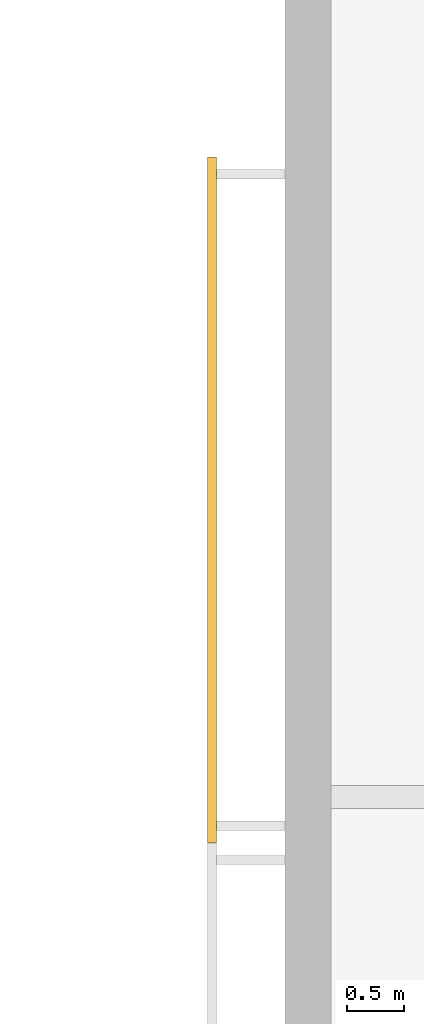
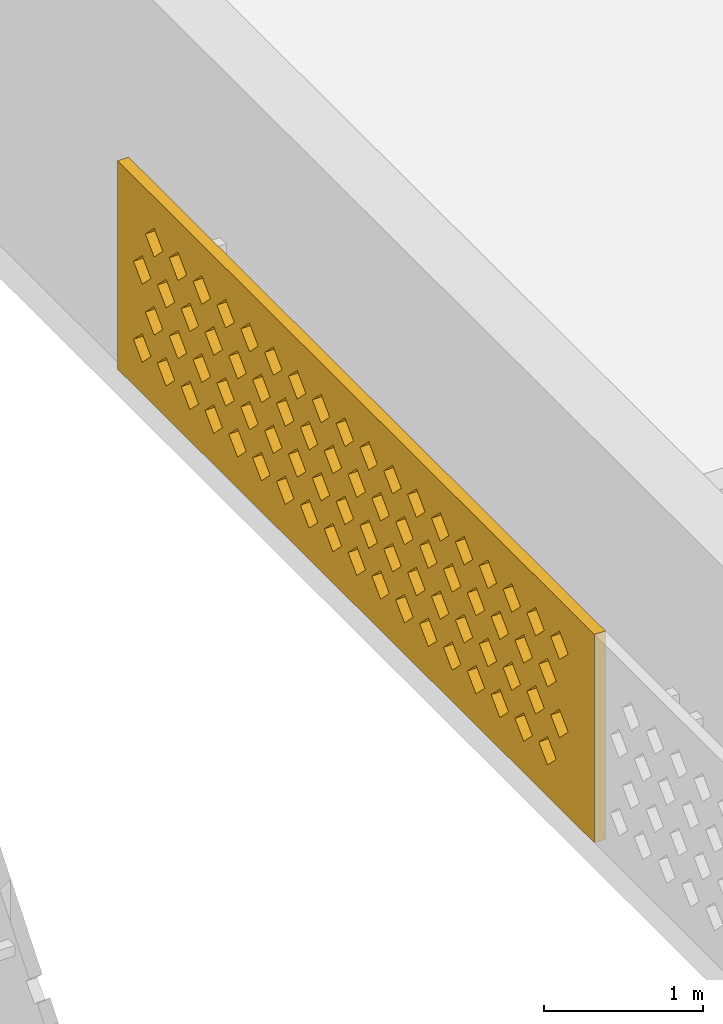
# One storey, part 14 of 16: 1 covering.
"""IFC4 building model written with IfcOpenShell, lengths in metres."""

from ifc_helpers import new_model, si_unit, direction, frame, origin, place, context, subcontext, project, spatial, polyline, outline, extrude, source, transform, mapped, material, material_profile, profile_set, type_object, element, save


model = new_model("IFC4")

# Units and contexts
model_context = context("Model", 3, precision=1e-05, world=origin(), true_north=direction((0.0, 1.0)))
body_context = subcontext(model_context, "Body", "Model", "MODEL_VIEW")
ifc_project = project(units=[si_unit("LENGTHUNIT", "METRE"), si_unit("AREAUNIT", "SQUARE_METRE"), si_unit("VOLUMEUNIT", "CUBIC_METRE"), si_unit("PLANEANGLEUNIT", "RADIAN"), si_unit("MASSUNIT", "GRAM", prefix="KILO")], contexts=[model_context])

# Site, building, storey
site_placement = place(None, origin())
site = spatial("IfcSite", under=ifc_project, at=site_placement, CompositionType="ELEMENT")
building_placement = place(site_placement, origin())
building = spatial("IfcBuilding", under=site, at=building_placement, Name="Poui Terraces", CompositionType="ELEMENT")
storey_placement = place(building_placement, frame((0.0, 0.0, 282.300048828125)))
storey = spatial("IfcBuildingStorey", under=building, at=storey_placement, Name="L78 CROWN", CompositionType="ELEMENT", Elevation=282.300048828125)

# Covering
ifc_material = material(Name="Terracotta screen", Category="masonry")
ifc_material_profile = material_profile(ifc_material, outline(polyline([(-3.0, -0.800048828125), (3.0, -0.800048828125), (3.0, 0.800048828125), (-3.0, 0.800048828125), (-3.0, -0.800048828125)]), holes=[polyline([(-2.800048828125, -0.449951171875), (-2.68994140625, -0.56005859375), (-2.580078125, -0.449951171875), (-2.68994140625, -0.340087890625), (-2.800048828125, -0.449951171875)]), polyline([(-2.5, -0.449951171875), (-2.389892578125, -0.56005859375), (-2.280029296875, -0.449951171875), (-2.389892578125, -0.340087890625), (-2.5, -0.449951171875)]), polyline([(-2.199951171875, -0.449951171875), (-2.090087890625, -0.56005859375), (-1.97998046875, -0.449951171875), (-2.090087890625, -0.340087890625), (-2.199951171875, -0.449951171875)]), polyline([(-1.89990234375, -0.449951171875), (-1.7900390625, -0.56005859375), (-1.679931640625, -0.449951171875), (-1.7900390625, -0.340087890625), (-1.89990234375, -0.449951171875)]), polyline([(-1.60009765625, -0.449951171875), (-1.489990234375, -0.56005859375), (-1.3798828125, -0.449951171875), (-1.489990234375, -0.340087890625), (-1.60009765625, -0.449951171875)]), polyline([(-1.300048828125, -0.449951171875), (-1.18994140625, -0.56005859375), (-1.080078125, -0.449951171875), (-1.18994140625, -0.340087890625), (-1.300048828125, -0.449951171875)]), polyline([(-1.0, -0.449951171875), (-0.889892578125, -0.56005859375), (-0.780029296875, -0.449951171875), (-0.889892578125, -0.340087890625), (-1.0, -0.449951171875)]), polyline([(-0.699951171875, -0.449951171875), (-0.590087890625, -0.56005859375), (-0.47998046875, -0.449951171875), (-0.590087890625, -0.340087890625), (-0.699951171875, -0.449951171875)]), polyline([(-0.39990234375, -0.449951171875), (-0.2900390625, -0.56005859375), (-0.179931640625, -0.449951171875), (-0.2900390625, -0.340087890625), (-0.39990234375, -0.449951171875)]), polyline([(-0.10009765625, -0.449951171875), (0.010009765625, -0.56005859375), (0.1201171875, -0.449951171875), (0.010009765625, -0.340087890625), (-0.10009765625, -0.449951171875)]), polyline([(0.199951171875, -0.449951171875), (0.31005859375, -0.56005859375), (0.419921875, -0.449951171875), (0.31005859375, -0.340087890625), (0.199951171875, -0.449951171875)]), polyline([(0.5, -0.449951171875), (0.610107421875, -0.56005859375), (0.719970703125, -0.449951171875), (0.610107421875, -0.340087890625), (0.5, -0.449951171875)]), polyline([(0.800048828125, -0.449951171875), (0.909912109375, -0.56005859375), (1.02001953125, -0.449951171875), (0.909912109375, -0.340087890625), (0.800048828125, -0.449951171875)]), polyline([(1.10009765625, -0.449951171875), (1.2099609375, -0.56005859375), (1.320068359375, -0.449951171875), (1.2099609375, -0.340087890625), (1.10009765625, -0.449951171875)]), polyline([(1.39990234375, -0.449951171875), (1.510009765625, -0.56005859375), (1.6201171875, -0.449951171875), (1.510009765625, -0.340087890625), (1.39990234375, -0.449951171875)]), polyline([(1.699951171875, -0.449951171875), (1.81005859375, -0.56005859375), (1.919921875, -0.449951171875), (1.81005859375, -0.340087890625), (1.699951171875, -0.449951171875)]), polyline([(2.0, -0.449951171875), (2.110107421875, -0.56005859375), (2.219970703125, -0.449951171875), (2.110107421875, -0.340087890625), (2.0, -0.449951171875)]), polyline([(2.300048828125, -0.449951171875), (2.409912109375, -0.56005859375), (2.52001953125, -0.449951171875), (2.409912109375, -0.340087890625), (2.300048828125, -0.449951171875)]), polyline([(-2.64990234375, -0.14990234375), (-2.5400390625, -0.260009765625), (-2.429931640625, -0.14990234375), (-2.5400390625, -0.0400390625), (-2.64990234375, -0.14990234375)]), polyline([(-2.35009765625, -0.14990234375), (-2.239990234375, -0.260009765625), (-2.1298828125, -0.14990234375), (-2.239990234375, -0.0400390625), (-2.35009765625, -0.14990234375)]), polyline([(-2.050048828125, -0.14990234375), (-1.93994140625, -0.260009765625), (-1.830078125, -0.14990234375), (-1.93994140625, -0.0400390625), (-2.050048828125, -0.14990234375)]), polyline([(-1.75, -0.14990234375), (-1.639892578125, -0.260009765625), (-1.530029296875, -0.14990234375), (-1.639892578125, -0.0400390625), (-1.75, -0.14990234375)]), polyline([(-1.449951171875, -0.14990234375), (-1.340087890625, -0.260009765625), (-1.22998046875, -0.14990234375), (-1.340087890625, -0.0400390625), (-1.449951171875, -0.14990234375)]), polyline([(-1.14990234375, -0.14990234375), (-1.0400390625, -0.260009765625), (-0.929931640625, -0.14990234375), (-1.0400390625, -0.0400390625), (-1.14990234375, -0.14990234375)]), polyline([(-0.85009765625, -0.14990234375), (-0.739990234375, -0.260009765625), (-0.6298828125, -0.14990234375), (-0.739990234375, -0.0400390625), (-0.85009765625, -0.14990234375)]), polyline([(-0.550048828125, -0.14990234375), (-0.43994140625, -0.260009765625), (-0.330078125, -0.14990234375), (-0.43994140625, -0.0400390625), (-0.550048828125, -0.14990234375)]), polyline([(-0.25, -0.14990234375), (-0.139892578125, -0.260009765625), (-0.030029296875, -0.14990234375), (-0.139892578125, -0.0400390625), (-0.25, -0.14990234375)]), polyline([(0.050048828125, -0.14990234375), (0.159912109375, -0.260009765625), (0.27001953125, -0.14990234375), (0.159912109375, -0.0400390625), (0.050048828125, -0.14990234375)]), polyline([(0.35009765625, -0.14990234375), (0.4599609375, -0.260009765625), (0.570068359375, -0.14990234375), (0.4599609375, -0.0400390625), (0.35009765625, -0.14990234375)]), polyline([(0.64990234375, -0.14990234375), (0.760009765625, -0.260009765625), (0.8701171875, -0.14990234375), (0.760009765625, -0.0400390625), (0.64990234375, -0.14990234375)]), polyline([(0.949951171875, -0.14990234375), (1.06005859375, -0.260009765625), (1.169921875, -0.14990234375), (1.06005859375, -0.0400390625), (0.949951171875, -0.14990234375)]), polyline([(1.25, -0.14990234375), (1.360107421875, -0.260009765625), (1.469970703125, -0.14990234375), (1.360107421875, -0.0400390625), (1.25, -0.14990234375)]), polyline([(1.550048828125, -0.14990234375), (1.659912109375, -0.260009765625), (1.77001953125, -0.14990234375), (1.659912109375, -0.0400390625), (1.550048828125, -0.14990234375)]), polyline([(1.85009765625, -0.14990234375), (1.9599609375, -0.260009765625), (2.070068359375, -0.14990234375), (1.9599609375, -0.0400390625), (1.85009765625, -0.14990234375)]), polyline([(2.14990234375, -0.14990234375), (2.260009765625, -0.260009765625), (2.3701171875, -0.14990234375), (2.260009765625, -0.0400390625), (2.14990234375, -0.14990234375)]), polyline([(2.449951171875, -0.14990234375), (2.56005859375, -0.260009765625), (2.669921875, -0.14990234375), (2.56005859375, -0.0400390625), (2.449951171875, -0.14990234375)]), polyline([(-2.800048828125, 0.14990234375), (-2.68994140625, 0.0400390625), (-2.580078125, 0.14990234375), (-2.68994140625, 0.260009765625), (-2.800048828125, 0.14990234375)]), polyline([(-2.5, 0.14990234375), (-2.389892578125, 0.0400390625), (-2.280029296875, 0.14990234375), (-2.389892578125, 0.260009765625), (-2.5, 0.14990234375)]), polyline([(-2.199951171875, 0.14990234375), (-2.090087890625, 0.0400390625), (-1.97998046875, 0.14990234375), (-2.090087890625, 0.260009765625), (-2.199951171875, 0.14990234375)]), polyline([(-1.89990234375, 0.14990234375), (-1.7900390625, 0.0400390625), (-1.679931640625, 0.14990234375), (-1.7900390625, 0.260009765625), (-1.89990234375, 0.14990234375)]), polyline([(-1.60009765625, 0.14990234375), (-1.489990234375, 0.0400390625), (-1.3798828125, 0.14990234375), (-1.489990234375, 0.260009765625), (-1.60009765625, 0.14990234375)]), polyline([(-1.300048828125, 0.14990234375), (-1.18994140625, 0.0400390625), (-1.080078125, 0.14990234375), (-1.18994140625, 0.260009765625), (-1.300048828125, 0.14990234375)]), polyline([(-1.0, 0.14990234375), (-0.889892578125, 0.0400390625), (-0.780029296875, 0.14990234375), (-0.889892578125, 0.260009765625), (-1.0, 0.14990234375)]), polyline([(-0.699951171875, 0.14990234375), (-0.590087890625, 0.0400390625), (-0.47998046875, 0.14990234375), (-0.590087890625, 0.260009765625), (-0.699951171875, 0.14990234375)]), polyline([(-0.39990234375, 0.14990234375), (-0.2900390625, 0.0400390625), (-0.179931640625, 0.14990234375), (-0.2900390625, 0.260009765625), (-0.39990234375, 0.14990234375)]), polyline([(-0.10009765625, 0.14990234375), (0.010009765625, 0.0400390625), (0.1201171875, 0.14990234375), (0.010009765625, 0.260009765625), (-0.10009765625, 0.14990234375)]), polyline([(0.199951171875, 0.14990234375), (0.31005859375, 0.0400390625), (0.419921875, 0.14990234375), (0.31005859375, 0.260009765625), (0.199951171875, 0.14990234375)]), polyline([(0.5, 0.14990234375), (0.610107421875, 0.0400390625), (0.719970703125, 0.14990234375), (0.610107421875, 0.260009765625), (0.5, 0.14990234375)]), polyline([(0.800048828125, 0.14990234375), (0.909912109375, 0.0400390625), (1.02001953125, 0.14990234375), (0.909912109375, 0.260009765625), (0.800048828125, 0.14990234375)]), polyline([(1.10009765625, 0.14990234375), (1.2099609375, 0.0400390625), (1.320068359375, 0.14990234375), (1.2099609375, 0.260009765625), (1.10009765625, 0.14990234375)]), polyline([(1.39990234375, 0.14990234375), (1.510009765625, 0.0400390625), (1.6201171875, 0.14990234375), (1.510009765625, 0.260009765625), (1.39990234375, 0.14990234375)]), polyline([(1.699951171875, 0.14990234375), (1.81005859375, 0.0400390625), (1.919921875, 0.14990234375), (1.81005859375, 0.260009765625), (1.699951171875, 0.14990234375)]), polyline([(2.0, 0.14990234375), (2.110107421875, 0.0400390625), (2.219970703125, 0.14990234375), (2.110107421875, 0.260009765625), (2.0, 0.14990234375)]), polyline([(2.300048828125, 0.14990234375), (2.409912109375, 0.0400390625), (2.52001953125, 0.14990234375), (2.409912109375, 0.260009765625), (2.300048828125, 0.14990234375)]), polyline([(-2.64990234375, 0.449951171875), (-2.5400390625, 0.340087890625), (-2.429931640625, 0.449951171875), (-2.5400390625, 0.56005859375), (-2.64990234375, 0.449951171875)]), polyline([(-2.35009765625, 0.449951171875), (-2.239990234375, 0.340087890625), (-2.1298828125, 0.449951171875), (-2.239990234375, 0.56005859375), (-2.35009765625, 0.449951171875)]), polyline([(-2.050048828125, 0.449951171875), (-1.93994140625, 0.340087890625), (-1.830078125, 0.449951171875), (-1.93994140625, 0.56005859375), (-2.050048828125, 0.449951171875)]), polyline([(-1.75, 0.449951171875), (-1.639892578125, 0.340087890625), (-1.530029296875, 0.449951171875), (-1.639892578125, 0.56005859375), (-1.75, 0.449951171875)]), polyline([(-1.449951171875, 0.449951171875), (-1.340087890625, 0.340087890625), (-1.22998046875, 0.449951171875), (-1.340087890625, 0.56005859375), (-1.449951171875, 0.449951171875)]), polyline([(-1.14990234375, 0.449951171875), (-1.0400390625, 0.340087890625), (-0.929931640625, 0.449951171875), (-1.0400390625, 0.56005859375), (-1.14990234375, 0.449951171875)]), polyline([(-0.85009765625, 0.449951171875), (-0.739990234375, 0.340087890625), (-0.6298828125, 0.449951171875), (-0.739990234375, 0.56005859375), (-0.85009765625, 0.449951171875)]), polyline([(-0.550048828125, 0.449951171875), (-0.43994140625, 0.340087890625), (-0.330078125, 0.449951171875), (-0.43994140625, 0.56005859375), (-0.550048828125, 0.449951171875)]), polyline([(-0.25, 0.449951171875), (-0.139892578125, 0.340087890625), (-0.030029296875, 0.449951171875), (-0.139892578125, 0.56005859375), (-0.25, 0.449951171875)]), polyline([(0.050048828125, 0.449951171875), (0.159912109375, 0.340087890625), (0.27001953125, 0.449951171875), (0.159912109375, 0.56005859375), (0.050048828125, 0.449951171875)]), polyline([(0.35009765625, 0.449951171875), (0.4599609375, 0.340087890625), (0.570068359375, 0.449951171875), (0.4599609375, 0.56005859375), (0.35009765625, 0.449951171875)]), polyline([(0.64990234375, 0.449951171875), (0.760009765625, 0.340087890625), (0.8701171875, 0.449951171875), (0.760009765625, 0.56005859375), (0.64990234375, 0.449951171875)]), polyline([(0.949951171875, 0.449951171875), (1.06005859375, 0.340087890625), (1.169921875, 0.449951171875), (1.06005859375, 0.56005859375), (0.949951171875, 0.449951171875)]), polyline([(1.25, 0.449951171875), (1.360107421875, 0.340087890625), (1.469970703125, 0.449951171875), (1.360107421875, 0.56005859375), (1.25, 0.449951171875)]), polyline([(1.550048828125, 0.449951171875), (1.659912109375, 0.340087890625), (1.77001953125, 0.449951171875), (1.659912109375, 0.56005859375), (1.550048828125, 0.449951171875)]), polyline([(1.85009765625, 0.449951171875), (1.9599609375, 0.340087890625), (2.070068359375, 0.449951171875), (1.9599609375, 0.56005859375), (1.85009765625, 0.449951171875)]), polyline([(2.14990234375, 0.449951171875), (2.260009765625, 0.340087890625), (2.3701171875, 0.449951171875), (2.260009765625, 0.56005859375), (2.14990234375, 0.449951171875)]), polyline([(2.449951171875, 0.449951171875), (2.56005859375, 0.340087890625), (2.669921875, 0.449951171875), (2.56005859375, 0.56005859375), (2.449951171875, 0.449951171875)])]), Name="TERRACOTTA SOLAR SCREEN 6000X1600")
ifc_profile_set = profile_set([ifc_material_profile], Name="Terracotta screen")
covering_type = type_object("IfcCoveringType", Name="TERRACOTTA SOLAR SCREEN 6000X1600", PredefinedType="CLADDING", material=ifc_profile_set)
shared_shape = source(origin(), body_context, "Body", "SweptSolid", [
    extrude(outline(polyline([(-3.0, -0.800048828125), (3.0, -0.800048828125), (3.0, 0.800048828125), (-3.0, 0.800048828125), (-3.0, -0.800048828125)]), holes=[polyline([(-2.800048828125, -0.449951171875), (-2.68994140625, -0.56005859375), (-2.580078125, -0.449951171875), (-2.68994140625, -0.340087890625), (-2.800048828125, -0.449951171875)]), polyline([(-2.5, -0.449951171875), (-2.389892578125, -0.56005859375), (-2.280029296875, -0.449951171875), (-2.389892578125, -0.340087890625), (-2.5, -0.449951171875)]), polyline([(-2.199951171875, -0.449951171875), (-2.090087890625, -0.56005859375), (-1.97998046875, -0.449951171875), (-2.090087890625, -0.340087890625), (-2.199951171875, -0.449951171875)]), polyline([(-1.89990234375, -0.449951171875), (-1.7900390625, -0.56005859375), (-1.679931640625, -0.449951171875), (-1.7900390625, -0.340087890625), (-1.89990234375, -0.449951171875)]), polyline([(-1.60009765625, -0.449951171875), (-1.489990234375, -0.56005859375), (-1.3798828125, -0.449951171875), (-1.489990234375, -0.340087890625), (-1.60009765625, -0.449951171875)]), polyline([(-1.300048828125, -0.449951171875), (-1.18994140625, -0.56005859375), (-1.080078125, -0.449951171875), (-1.18994140625, -0.340087890625), (-1.300048828125, -0.449951171875)]), polyline([(-1.0, -0.449951171875), (-0.889892578125, -0.56005859375), (-0.780029296875, -0.449951171875), (-0.889892578125, -0.340087890625), (-1.0, -0.449951171875)]), polyline([(-0.699951171875, -0.449951171875), (-0.590087890625, -0.56005859375), (-0.47998046875, -0.449951171875), (-0.590087890625, -0.340087890625), (-0.699951171875, -0.449951171875)]), polyline([(-0.39990234375, -0.449951171875), (-0.2900390625, -0.56005859375), (-0.179931640625, -0.449951171875), (-0.2900390625, -0.340087890625), (-0.39990234375, -0.449951171875)]), polyline([(-0.10009765625, -0.449951171875), (0.010009765625, -0.56005859375), (0.1201171875, -0.449951171875), (0.010009765625, -0.340087890625), (-0.10009765625, -0.449951171875)]), polyline([(0.199951171875, -0.449951171875), (0.31005859375, -0.56005859375), (0.419921875, -0.449951171875), (0.31005859375, -0.340087890625), (0.199951171875, -0.449951171875)]), polyline([(0.5, -0.449951171875), (0.610107421875, -0.56005859375), (0.719970703125, -0.449951171875), (0.610107421875, -0.340087890625), (0.5, -0.449951171875)]), polyline([(0.800048828125, -0.449951171875), (0.909912109375, -0.56005859375), (1.02001953125, -0.449951171875), (0.909912109375, -0.340087890625), (0.800048828125, -0.449951171875)]), polyline([(1.10009765625, -0.449951171875), (1.2099609375, -0.56005859375), (1.320068359375, -0.449951171875), (1.2099609375, -0.340087890625), (1.10009765625, -0.449951171875)]), polyline([(1.39990234375, -0.449951171875), (1.510009765625, -0.56005859375), (1.6201171875, -0.449951171875), (1.510009765625, -0.340087890625), (1.39990234375, -0.449951171875)]), polyline([(1.699951171875, -0.449951171875), (1.81005859375, -0.56005859375), (1.919921875, -0.449951171875), (1.81005859375, -0.340087890625), (1.699951171875, -0.449951171875)]), polyline([(2.0, -0.449951171875), (2.110107421875, -0.56005859375), (2.219970703125, -0.449951171875), (2.110107421875, -0.340087890625), (2.0, -0.449951171875)]), polyline([(2.300048828125, -0.449951171875), (2.409912109375, -0.56005859375), (2.52001953125, -0.449951171875), (2.409912109375, -0.340087890625), (2.300048828125, -0.449951171875)]), polyline([(-2.64990234375, -0.14990234375), (-2.5400390625, -0.260009765625), (-2.429931640625, -0.14990234375), (-2.5400390625, -0.0400390625), (-2.64990234375, -0.14990234375)]), polyline([(-2.35009765625, -0.14990234375), (-2.239990234375, -0.260009765625), (-2.1298828125, -0.14990234375), (-2.239990234375, -0.0400390625), (-2.35009765625, -0.14990234375)]), polyline([(-2.050048828125, -0.14990234375), (-1.93994140625, -0.260009765625), (-1.830078125, -0.14990234375), (-1.93994140625, -0.0400390625), (-2.050048828125, -0.14990234375)]), polyline([(-1.75, -0.14990234375), (-1.639892578125, -0.260009765625), (-1.530029296875, -0.14990234375), (-1.639892578125, -0.0400390625), (-1.75, -0.14990234375)]), polyline([(-1.449951171875, -0.14990234375), (-1.340087890625, -0.260009765625), (-1.22998046875, -0.14990234375), (-1.340087890625, -0.0400390625), (-1.449951171875, -0.14990234375)]), polyline([(-1.14990234375, -0.14990234375), (-1.0400390625, -0.260009765625), (-0.929931640625, -0.14990234375), (-1.0400390625, -0.0400390625), (-1.14990234375, -0.14990234375)]), polyline([(-0.85009765625, -0.14990234375), (-0.739990234375, -0.260009765625), (-0.6298828125, -0.14990234375), (-0.739990234375, -0.0400390625), (-0.85009765625, -0.14990234375)]), polyline([(-0.550048828125, -0.14990234375), (-0.43994140625, -0.260009765625), (-0.330078125, -0.14990234375), (-0.43994140625, -0.0400390625), (-0.550048828125, -0.14990234375)]), polyline([(-0.25, -0.14990234375), (-0.139892578125, -0.260009765625), (-0.030029296875, -0.14990234375), (-0.139892578125, -0.0400390625), (-0.25, -0.14990234375)]), polyline([(0.050048828125, -0.14990234375), (0.159912109375, -0.260009765625), (0.27001953125, -0.14990234375), (0.159912109375, -0.0400390625), (0.050048828125, -0.14990234375)]), polyline([(0.35009765625, -0.14990234375), (0.4599609375, -0.260009765625), (0.570068359375, -0.14990234375), (0.4599609375, -0.0400390625), (0.35009765625, -0.14990234375)]), polyline([(0.64990234375, -0.14990234375), (0.760009765625, -0.260009765625), (0.8701171875, -0.14990234375), (0.760009765625, -0.0400390625), (0.64990234375, -0.14990234375)]), polyline([(0.949951171875, -0.14990234375), (1.06005859375, -0.260009765625), (1.169921875, -0.14990234375), (1.06005859375, -0.0400390625), (0.949951171875, -0.14990234375)]), polyline([(1.25, -0.14990234375), (1.360107421875, -0.260009765625), (1.469970703125, -0.14990234375), (1.360107421875, -0.0400390625), (1.25, -0.14990234375)]), polyline([(1.550048828125, -0.14990234375), (1.659912109375, -0.260009765625), (1.77001953125, -0.14990234375), (1.659912109375, -0.0400390625), (1.550048828125, -0.14990234375)]), polyline([(1.85009765625, -0.14990234375), (1.9599609375, -0.260009765625), (2.070068359375, -0.14990234375), (1.9599609375, -0.0400390625), (1.85009765625, -0.14990234375)]), polyline([(2.14990234375, -0.14990234375), (2.260009765625, -0.260009765625), (2.3701171875, -0.14990234375), (2.260009765625, -0.0400390625), (2.14990234375, -0.14990234375)]), polyline([(2.449951171875, -0.14990234375), (2.56005859375, -0.260009765625), (2.669921875, -0.14990234375), (2.56005859375, -0.0400390625), (2.449951171875, -0.14990234375)]), polyline([(-2.800048828125, 0.14990234375), (-2.68994140625, 0.0400390625), (-2.580078125, 0.14990234375), (-2.68994140625, 0.260009765625), (-2.800048828125, 0.14990234375)]), polyline([(-2.5, 0.14990234375), (-2.389892578125, 0.0400390625), (-2.280029296875, 0.14990234375), (-2.389892578125, 0.260009765625), (-2.5, 0.14990234375)]), polyline([(-2.199951171875, 0.14990234375), (-2.090087890625, 0.0400390625), (-1.97998046875, 0.14990234375), (-2.090087890625, 0.260009765625), (-2.199951171875, 0.14990234375)]), polyline([(-1.89990234375, 0.14990234375), (-1.7900390625, 0.0400390625), (-1.679931640625, 0.14990234375), (-1.7900390625, 0.260009765625), (-1.89990234375, 0.14990234375)]), polyline([(-1.60009765625, 0.14990234375), (-1.489990234375, 0.0400390625), (-1.3798828125, 0.14990234375), (-1.489990234375, 0.260009765625), (-1.60009765625, 0.14990234375)]), polyline([(-1.300048828125, 0.14990234375), (-1.18994140625, 0.0400390625), (-1.080078125, 0.14990234375), (-1.18994140625, 0.260009765625), (-1.300048828125, 0.14990234375)]), polyline([(-1.0, 0.14990234375), (-0.889892578125, 0.0400390625), (-0.780029296875, 0.14990234375), (-0.889892578125, 0.260009765625), (-1.0, 0.14990234375)]), polyline([(-0.699951171875, 0.14990234375), (-0.590087890625, 0.0400390625), (-0.47998046875, 0.14990234375), (-0.590087890625, 0.260009765625), (-0.699951171875, 0.14990234375)]), polyline([(-0.39990234375, 0.14990234375), (-0.2900390625, 0.0400390625), (-0.179931640625, 0.14990234375), (-0.2900390625, 0.260009765625), (-0.39990234375, 0.14990234375)]), polyline([(-0.10009765625, 0.14990234375), (0.010009765625, 0.0400390625), (0.1201171875, 0.14990234375), (0.010009765625, 0.260009765625), (-0.10009765625, 0.14990234375)]), polyline([(0.199951171875, 0.14990234375), (0.31005859375, 0.0400390625), (0.419921875, 0.14990234375), (0.31005859375, 0.260009765625), (0.199951171875, 0.14990234375)]), polyline([(0.5, 0.14990234375), (0.610107421875, 0.0400390625), (0.719970703125, 0.14990234375), (0.610107421875, 0.260009765625), (0.5, 0.14990234375)]), polyline([(0.800048828125, 0.14990234375), (0.909912109375, 0.0400390625), (1.02001953125, 0.14990234375), (0.909912109375, 0.260009765625), (0.800048828125, 0.14990234375)]), polyline([(1.10009765625, 0.14990234375), (1.2099609375, 0.0400390625), (1.320068359375, 0.14990234375), (1.2099609375, 0.260009765625), (1.10009765625, 0.14990234375)]), polyline([(1.39990234375, 0.14990234375), (1.510009765625, 0.0400390625), (1.6201171875, 0.14990234375), (1.510009765625, 0.260009765625), (1.39990234375, 0.14990234375)]), polyline([(1.699951171875, 0.14990234375), (1.81005859375, 0.0400390625), (1.919921875, 0.14990234375), (1.81005859375, 0.260009765625), (1.699951171875, 0.14990234375)]), polyline([(2.0, 0.14990234375), (2.110107421875, 0.0400390625), (2.219970703125, 0.14990234375), (2.110107421875, 0.260009765625), (2.0, 0.14990234375)]), polyline([(2.300048828125, 0.14990234375), (2.409912109375, 0.0400390625), (2.52001953125, 0.14990234375), (2.409912109375, 0.260009765625), (2.300048828125, 0.14990234375)]), polyline([(-2.64990234375, 0.449951171875), (-2.5400390625, 0.340087890625), (-2.429931640625, 0.449951171875), (-2.5400390625, 0.56005859375), (-2.64990234375, 0.449951171875)]), polyline([(-2.35009765625, 0.449951171875), (-2.239990234375, 0.340087890625), (-2.1298828125, 0.449951171875), (-2.239990234375, 0.56005859375), (-2.35009765625, 0.449951171875)]), polyline([(-2.050048828125, 0.449951171875), (-1.93994140625, 0.340087890625), (-1.830078125, 0.449951171875), (-1.93994140625, 0.56005859375), (-2.050048828125, 0.449951171875)]), polyline([(-1.75, 0.449951171875), (-1.639892578125, 0.340087890625), (-1.530029296875, 0.449951171875), (-1.639892578125, 0.56005859375), (-1.75, 0.449951171875)]), polyline([(-1.449951171875, 0.449951171875), (-1.340087890625, 0.340087890625), (-1.22998046875, 0.449951171875), (-1.340087890625, 0.56005859375), (-1.449951171875, 0.449951171875)]), polyline([(-1.14990234375, 0.449951171875), (-1.0400390625, 0.340087890625), (-0.929931640625, 0.449951171875), (-1.0400390625, 0.56005859375), (-1.14990234375, 0.449951171875)]), polyline([(-0.85009765625, 0.449951171875), (-0.739990234375, 0.340087890625), (-0.6298828125, 0.449951171875), (-0.739990234375, 0.56005859375), (-0.85009765625, 0.449951171875)]), polyline([(-0.550048828125, 0.449951171875), (-0.43994140625, 0.340087890625), (-0.330078125, 0.449951171875), (-0.43994140625, 0.56005859375), (-0.550048828125, 0.449951171875)]), polyline([(-0.25, 0.449951171875), (-0.139892578125, 0.340087890625), (-0.030029296875, 0.449951171875), (-0.139892578125, 0.56005859375), (-0.25, 0.449951171875)]), polyline([(0.050048828125, 0.449951171875), (0.159912109375, 0.340087890625), (0.27001953125, 0.449951171875), (0.159912109375, 0.56005859375), (0.050048828125, 0.449951171875)]), polyline([(0.35009765625, 0.449951171875), (0.4599609375, 0.340087890625), (0.570068359375, 0.449951171875), (0.4599609375, 0.56005859375), (0.35009765625, 0.449951171875)]), polyline([(0.64990234375, 0.449951171875), (0.760009765625, 0.340087890625), (0.8701171875, 0.449951171875), (0.760009765625, 0.56005859375), (0.64990234375, 0.449951171875)]), polyline([(0.949951171875, 0.449951171875), (1.06005859375, 0.340087890625), (1.169921875, 0.449951171875), (1.06005859375, 0.56005859375), (0.949951171875, 0.449951171875)]), polyline([(1.25, 0.449951171875), (1.360107421875, 0.340087890625), (1.469970703125, 0.449951171875), (1.360107421875, 0.56005859375), (1.25, 0.449951171875)]), polyline([(1.550048828125, 0.449951171875), (1.659912109375, 0.340087890625), (1.77001953125, 0.449951171875), (1.659912109375, 0.56005859375), (1.550048828125, 0.449951171875)]), polyline([(1.85009765625, 0.449951171875), (1.9599609375, 0.340087890625), (2.070068359375, 0.449951171875), (1.9599609375, 0.56005859375), (1.85009765625, 0.449951171875)]), polyline([(2.14990234375, 0.449951171875), (2.260009765625, 0.340087890625), (2.3701171875, 0.449951171875), (2.260009765625, 0.56005859375), (2.14990234375, 0.449951171875)]), polyline([(2.449951171875, 0.449951171875), (2.56005859375, 0.340087890625), (2.669921875, 0.449951171875), (2.56005859375, 0.56005859375), (2.449951171875, 0.449951171875)])]), origin(), (0.0, 0.0, 1.0), 0.079833984375),
])
covering_placement = place(storey_placement, frame((53.199951171875, 33.0, 1.699951171875), z_axis=(-1.0, 0.0, 0.0), x_axis=(0.0, -1.0, 0.0)))
element("IfcCovering", 1, at=covering_placement, inside=storey, type_object=covering_type, Name="SOLAR SCREEN", PredefinedType="CLADDING", context=body_context, shape_type="MappedRepresentation", body=[
    mapped(shared_shape, transform((0.0, 0.0, 0.0))),
])

save(model, "model.ifc")
